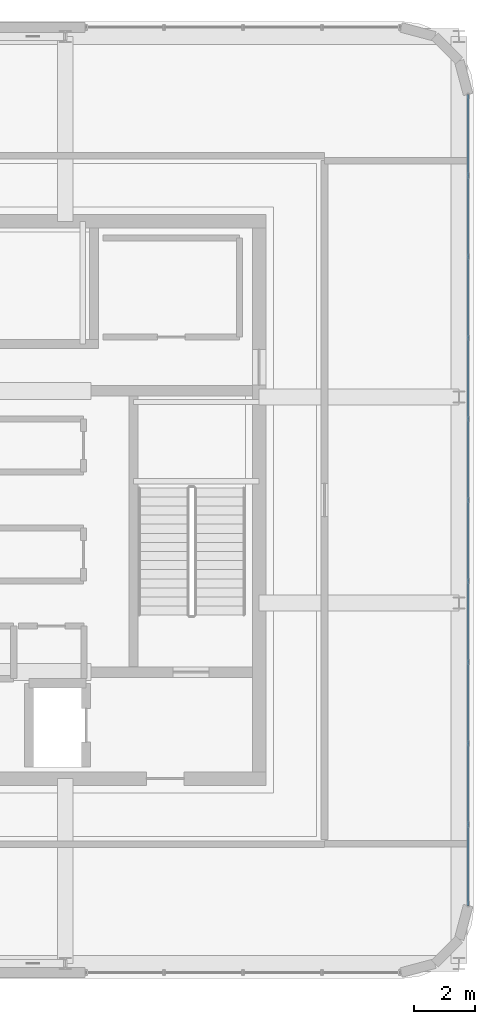
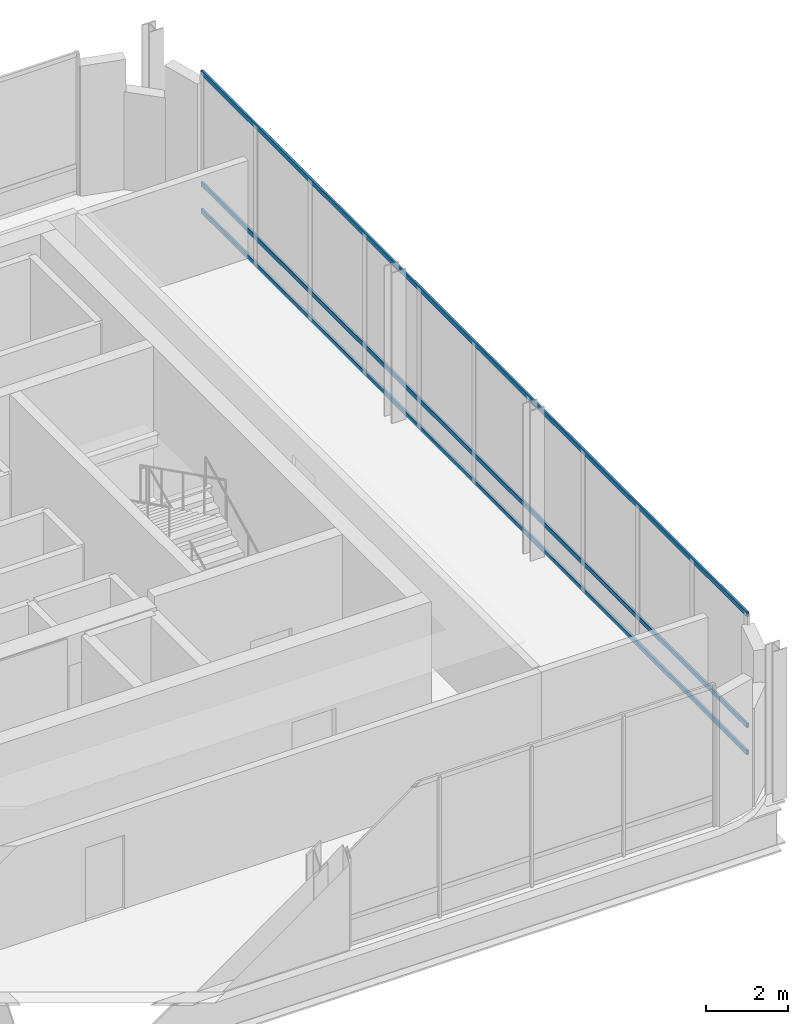
# One storey, part 16 of 25: 3 members, 1 element without a shape of its own.
"""IFC4 building model written with IfcOpenShell, lengths in metres."""

from ifc_helpers import new_model, si_unit, direction, frame, origin, origin_2d, place, context, subcontext, project, spatial, hollow_rectangle, extrude, material, material_profile, profile_set, type_object, element, aggregate, save


model = new_model("IFC4")

# Units and contexts
model_context = context("Model", 3, precision=1e-05, world=origin(), true_north=direction((0.0, 1.0)))
body_context = subcontext(model_context, "Body", "Model", "MODEL_VIEW")
ifc_project = project(units=[si_unit("LENGTHUNIT", "METRE"), si_unit("AREAUNIT", "SQUARE_METRE"), si_unit("VOLUMEUNIT", "CUBIC_METRE"), si_unit("PLANEANGLEUNIT", "RADIAN"), si_unit("MASSUNIT", "GRAM", prefix="KILO")], contexts=[model_context])

# Site, building, storey
site_placement = place(None, origin())
site = spatial("IfcSite", under=ifc_project, at=site_placement, CompositionType="ELEMENT")
building_placement = place(site_placement, origin())
building = spatial("IfcBuilding", under=site, at=building_placement, Name="Punatoya Terracotta Tower", CompositionType="ELEMENT")
storey_placement = place(building_placement, frame((0.0, 0.0, 357.300048828125)))
storey = spatial("IfcBuildingStorey", under=building, at=storey_placement, Name="L84", CompositionType="ELEMENT", Elevation=357.300048828125)

# Curtain wall, members
ifc_material_1 = material(Name="Aluminium 6063-T6 + Double Low-E Glass", Category="aluminium")
curtain_wall_type = type_object("IfcCurtainWallType", Name="CW-CRN", PredefinedType="NOTDEFINED", material=ifc_material_1)
curtain_wall_placement = place(storey_placement, origin())
curtain_wall = element("IfcCurtainWall", 1, at=curtain_wall_placement, inside=storey, type_object=curtain_wall_type, Name="L84 Curtain Wall CW-L84-E05-1", PredefinedType="NOTDEFINED")
ifc_material_2 = material(Name="Aluminium 6063-T6", Category="aluminium")
ifc_material_profile = material_profile(ifc_material_2, hollow_rectangle(XDim=0.06201171875, YDim=0.135009765625, WallThickness=0.00390625, at=origin_2d()))
ifc_profile_set = profile_set([ifc_material_profile], Name="Aluminium 6063-T6")
member_type = type_object("IfcMemberType", Name="CW-TRN-CRN", PredefinedType="USERDEFINED", material=ifc_profile_set)
member_1_placement = place(storey_placement, frame((17.10009765625, -13.386962890625, 0.0400390625), z_axis=(0.0, 1.0, 0.0), x_axis=(-1.0, 0.0, 0.0)))
member_1 = element("IfcMember", 2, at=member_1_placement, type_object=member_type, Name="CW-L84-E05-1 Transom 1", ObjectType="TRANSOM", PredefinedType="USERDEFINED", context=body_context, shape_type="SweptSolid", body=[
    extrude(hollow_rectangle(XDim=0.06201171875, YDim=0.135009765625, WallThickness=0.00390625, at=origin_2d()), origin(), (0.0, 0.0, 1.0), 26.77392578125),
])
member_2_placement = place(storey_placement, frame((17.10009765625, -13.386962890625, 0.849853515625), z_axis=(0.0, 1.0, 0.0), x_axis=(-1.0, 0.0, 0.0)))
member_2 = element("IfcMember", 3, at=member_2_placement, type_object=member_type, Name="CW-L84-E05-1 Transom 2", ObjectType="TRANSOM", PredefinedType="USERDEFINED", context=body_context, shape_type="SweptSolid", body=[
    extrude(hollow_rectangle(XDim=0.06201171875, YDim=0.135009765625, WallThickness=0.00390625, at=origin_2d()), origin(), (0.0, 0.0, 1.0), 26.77392578125),
])
member_3_placement = place(storey_placement, frame((17.10009765625, -13.386962890625, 4.179931640625), z_axis=(0.0, 1.0, 0.0), x_axis=(-1.0, 0.0, 0.0)))
member_3 = element("IfcMember", 4, at=member_3_placement, type_object=member_type, Name="CW-L84-E05-1 Transom 3", ObjectType="TRANSOM", PredefinedType="USERDEFINED", context=body_context, shape_type="SweptSolid", body=[
    extrude(hollow_rectangle(XDim=0.06201171875, YDim=0.135009765625, WallThickness=0.00390625, at=origin_2d()), origin(), (0.0, 0.0, 1.0), 26.77392578125),
])
aggregate(curtain_wall, [member_1, member_2, member_3])

save(model, "model.ifc")
